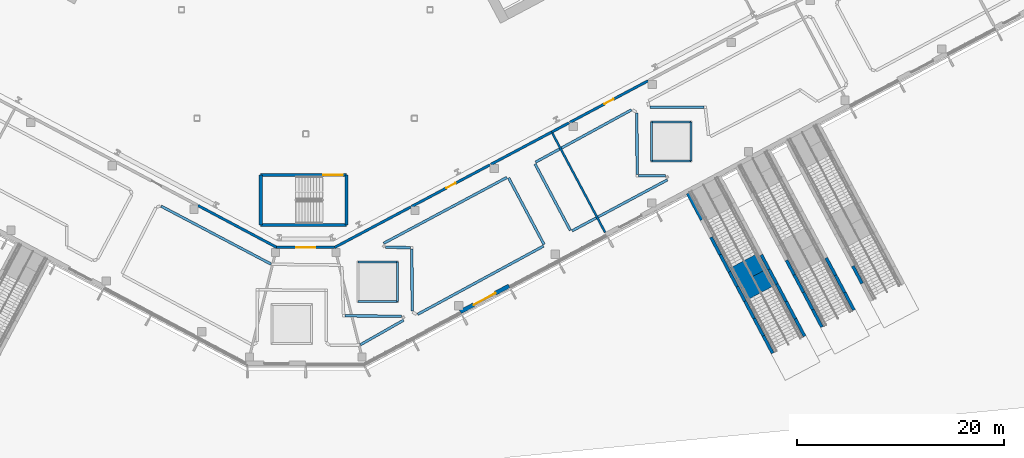
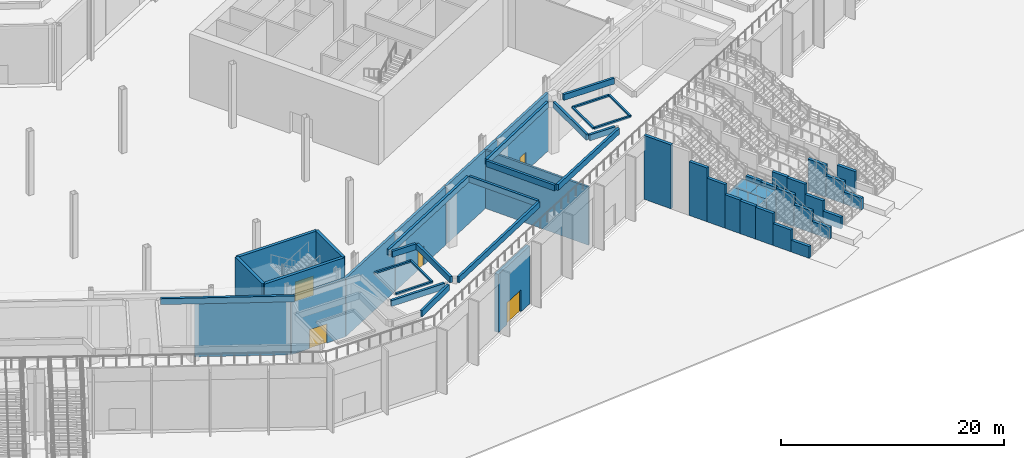
# One storey, part 18 of 57: 58 walls, 5 doors, 5 openings.
"""IFC4 building model written with IfcOpenShell, lengths in metres."""

from ifc_helpers import new_model, si_unit, direction, frame, frame_2d, origin, place, context, subcontext, project, spatial, rectangle, extrude, material, layer, layer_set, type_object, element, fill, save


model = new_model("IFC4")

# Units and contexts
model_context = context("Model", 3, precision=1e-05, world=origin(), true_north=direction((0.0, 1.0)))
body_context = subcontext(model_context, "Body", "Model", "MODEL_VIEW")
ifc_project = project(units=[si_unit("LENGTHUNIT", "METRE"), si_unit("AREAUNIT", "SQUARE_METRE"), si_unit("VOLUMEUNIT", "CUBIC_METRE"), si_unit("PLANEANGLEUNIT", "RADIAN"), si_unit("MASSUNIT", "GRAM", prefix="KILO")], contexts=[model_context])

# Site, building, storey
site_placement = place(None, origin())
site = spatial("IfcSite", under=ifc_project, at=site_placement, CompositionType="ELEMENT")
building_placement = place(site_placement, origin())
building = spatial("IfcBuilding", under=site, at=building_placement, Name="Cormorant Relay Tower", CompositionType="ELEMENT")
storey_placement = place(building_placement, origin())
storey = spatial("IfcBuildingStorey", under=building, at=storey_placement, Name="L00", CompositionType="ELEMENT", Elevation=0.0)

# Wall, opening, door
ifc_material_1 = material(Name="Concrete 40 MPa with granite cladding", Category="masonry")
ifc_layer_1 = layer(ifc_material_1, 0.39990234375)
ifc_layer_set_1 = layer_set([ifc_layer_1], Name="Base facade wall 400")
wall_type_1 = type_object("IfcWallType", Name="Base facade wall 400", PredefinedType="SOLIDWALL", material=ifc_layer_set_1)
wall_1_placement = place(storey_placement, frame((14.9423828125, -29.203369140625, 0.0), z_axis=(0.0, 0.0, 1.0), x_axis=(0.882950500829, 0.469466093648, 0.0)))
wall_1 = element("IfcWall", 1, at=wall_1_placement, inside=storey, type_object=wall_type_1, Name="Base facade wall", PredefinedType="SOLIDWALL", context=body_context, shape_type="SweptSolid", body=[
    extrude(rectangle(XDim=5.320556640625, YDim=0.39990234375, at=frame_2d((2.66015625, 0.0))), origin(), (0.0, 0.0, 1.0), 6.3701171875),
])
opening_1_placement = place(wall_1_placement, frame((1.460205078125, 0.0, 0.0)))
opening_1 = element("IfcOpeningElement", 2, at=opening_1_placement, cuts=wall_1, Name="Opening PD6-001", PredefinedType="OPENING", context=body_context, shape_type="SweptSolid", body=[
    extrude(rectangle(XDim=2.39990234375, YDim=2.39990234375, at=frame_2d((1.199951171875, 1.199951171875))), frame((0.0, 0.2099609375, 0.0), z_axis=(0.0, -1.0, 0.0), x_axis=(1.0, 0.0, 0.0)), (0.0, 0.0, 1.0), 0.419921875),
])
ifc_material_2 = material(Name="Bronze framed glass door", Category="glass")
door_type_1 = type_object("IfcDoorType", Name="Door entrance double 2400", OperationType="DOUBLE_DOOR_SINGLE_SWING", PredefinedType="DOOR", material=ifc_material_2)
door_1_placement = place(opening_1_placement, frame((2.39990234375, 0.0, 0.0), z_axis=(0.0, 0.0, 1.0), x_axis=(-1.0, 0.0, 0.0)))
door_1 = element("IfcDoor", 3, at=door_1_placement, inside=storey, type_object=door_type_1, Name="Entrance door", OperationType="DOUBLE_DOOR_SINGLE_SWING", OverallHeight=2.39990234375, OverallWidth=2.39990234375, PredefinedType="DOOR", context=body_context, shape_type="SweptSolid", body=[
    extrude(rectangle(XDim=2.39990234375, YDim=2.39990234375, at=frame_2d((1.199951171875, 1.199951171875))), frame((0.0, 0.02490234375, 0.0), z_axis=(0.0, -1.0, 0.0), x_axis=(1.0, 0.0, 0.0)), (0.0, 0.0, 1.0), 0.050048828125),
])
fill(opening_1, door_1)

# Walls
ifc_material_3 = material(Name="Concrete 30 MPa upstand", Category="concrete")
ifc_layer_2 = layer(ifc_material_3, 0.199951171875)
ifc_layer_set_2 = layer_set([ifc_layer_2], Name="Deck rooflight kerb 200")
wall_type_2 = type_object("IfcWallType", Name="Deck rooflight kerb 200", PredefinedType="SOLIDWALL", material=ifc_layer_set_2)
for number, where, z_axis, x_axis, name in (
    (4, (8.85791015625, -28.19189453125, 6.919921875), (0.0, 0.0, 1.0), (-1.0, 0.0, 0.0), "Rooflight kerb"),
    (5, (5.05810546875, -24.39208984375, 6.919921875), (0.0, 0.0, 1.0), (1.0, 0.0, 0.0), "Rooflight kerb"),
    (6, (8.85791015625, -24.39208984375, 6.919921875), (0.0, 0.0, 1.0), (0.0, -1.0, 0.0), "Rooflight kerb"),
):
    element("IfcWall", number, at=place(storey_placement, frame(where, z_axis=z_axis, x_axis=x_axis)), inside=storey, type_object=wall_type_2, Name=name, PredefinedType="SOLIDWALL", context=body_context, shape_type="SweptSolid", body=[
        extrude(rectangle(XDim=3.7998046875, YDim=0.199951171875, at=frame_2d((1.89990234375, 0.0))), origin(), (0.0, 0.0, 1.0), 0.18017578125),
    ])
for number, where, z_axis, x_axis, name in (
    (7, (37.22998046875, -14.634033203125, 6.919921875), (0.0, 0.0, 1.0), (-1.0, 0.0, 0.0), "Rooflight kerb"),
    (8, (33.429931640625, -14.634033203125, 6.919921875), (0.0, 0.0, 1.0), (0.0, 1.0, 0.0), "Rooflight kerb"),
    (9, (33.429931640625, -10.833984375, 6.919921875), (0.0, 0.0, 1.0), (1.0, 0.0, 0.0), "Rooflight kerb"),
    (10, (37.22998046875, -10.833984375, 6.919921875), (0.0, 0.0, 1.0), (0.0, -1.0, 0.0), "Rooflight kerb"),
):
    element("IfcWall", number, at=place(storey_placement, frame(where, z_axis=z_axis, x_axis=x_axis)), inside=storey, type_object=wall_type_2, Name=name, PredefinedType="SOLIDWALL", context=body_context, shape_type="SweptSolid", body=[
        extrude(rectangle(XDim=3.800048828125, YDim=0.199951171875, at=frame_2d((1.89990234375, 0.0))), origin(), (0.0, 0.0, 1.0), 0.18017578125),
    ])
ifc_material_4 = material(Name="Concrete masonry 20 MPa", Category="masonry")
ifc_layer_3 = layer(ifc_material_4, 0.25)
ifc_layer_set_3 = layer_set([ifc_layer_3], Name="Fire separation wall 250")
wall_type_3 = type_object("IfcWallType", Name="Fire separation wall 250", PredefinedType="SOLIDWALL", material=ifc_layer_set_3)
wall_2_placement = place(storey_placement, frame((23.781005859375, -11.819091796875, 0.0), z_axis=(0.0, 0.0, 1.0), x_axis=(-0.882996705644, -0.469379183413, 0.0)))
element("IfcWall", 11, at=wall_2_placement, inside=storey, type_object=wall_type_3, Name="Partition", PredefinedType="SOLIDWALL", context=body_context, shape_type="SweptSolid", body=[
    extrude(rectangle(XDim=6.668212890625, YDim=0.25, at=frame_2d((3.333984375, 0.0))), origin(), (0.0, 0.0, 1.0), 6.3701171875),
])

# Wall, opening, door
wall_3_placement = place(storey_placement, frame((17.806884765625, -14.994873046875, 0.0), z_axis=(0.0, 0.0, 1.0), x_axis=(-0.882988627018, -0.46939438062, 0.0)))
wall_3 = element("IfcWall", 12, at=wall_3_placement, inside=storey, type_object=wall_type_3, Name="Partition", PredefinedType="SOLIDWALL", context=body_context, shape_type="SweptSolid", body=[
    extrude(rectangle(XDim=8.55810546875, YDim=0.25, at=frame_2d((4.279052734375, 0.0))), origin(), (0.0, 0.0, 1.0), 6.3701171875),
])
opening_2_placement = place(wall_3_placement, frame((3.779052734375, 0.0, 0.0)))
opening_2 = element("IfcOpeningElement", 13, at=opening_2_placement, cuts=wall_3, Name="Opening PD1-053", PredefinedType="OPENING", context=body_context, shape_type="SweptSolid", body=[
    extrude(rectangle(XDim=1.0, YDim=2.10009765625, at=frame_2d((0.5, 1.050048828125))), frame((0.0, 0.135009765625, 0.0), z_axis=(0.0, -1.0, 0.0), x_axis=(1.0, 0.0, 0.0)), (0.0, 0.0, 1.0), 0.27001953125),
])
ifc_material_5 = material(Name="Steel door leaf", Category="steel")
door_type_2 = type_object("IfcDoorType", Name="Door single 1000", OperationType="SINGLE_SWING_LEFT", PredefinedType="DOOR", material=ifc_material_5)
door_2_placement = place(opening_2_placement, origin())
door_2 = element("IfcDoor", 14, at=door_2_placement, inside=storey, type_object=door_type_2, Name="Door", OperationType="SINGLE_SWING_LEFT", OverallHeight=2.10009765625, OverallWidth=1.0, PredefinedType="DOOR", context=body_context, shape_type="SweptSolid", body=[
    extrude(rectangle(XDim=1.0, YDim=2.10009765625, at=frame_2d((0.5, 1.050048828125))), frame((0.0, 0.02490234375, 0.0), z_axis=(0.0, -1.0, 0.0), x_axis=(1.0, 0.0, 0.0)), (0.0, 0.0, 1.0), 0.050048828125),
])
fill(opening_2, door_2)

# Wall
wall_4_placement = place(storey_placement, frame((10.1650390625, -19.057373046875, 0.0), z_axis=(0.0, 0.0, 1.0), x_axis=(-0.882987691761, -0.469396139949, 0.0)))
element("IfcWall", 15, at=wall_4_placement, inside=storey, type_object=wall_type_3, Name="Partition", PredefinedType="SOLIDWALL", context=body_context, shape_type="SweptSolid", body=[
    extrude(rectangle(XDim=8.347412109375, YDim=0.25, at=frame_2d((4.173828125, 0.0))), origin(), (0.0, 0.0, 1.0), 6.3701171875),
])

# Wall, opening, door
wall_5_placement = place(storey_placement, frame((33.091064453125, -6.86865234375, 0.0), z_axis=(0.0, 0.0, 1.0), x_axis=(-0.882945366868, -0.469475749243, 0.0)))
wall_5 = element("IfcWall", 16, at=wall_5_placement, inside=storey, type_object=wall_type_3, Name="Partition", PredefinedType="SOLIDWALL", context=body_context, shape_type="SweptSolid", body=[
    extrude(rectangle(XDim=8.55712890625, YDim=0.25, at=frame_2d((4.278564453125, 0.0))), origin(), (0.0, 0.0, 1.0), 6.3701171875),
])
opening_3_placement = place(wall_5_placement, frame((3.779052734375, 0.0, 0.0)))
opening_3 = element("IfcOpeningElement", 17, at=opening_3_placement, cuts=wall_5, Name="Opening PD1-054", PredefinedType="OPENING", context=body_context, shape_type="SweptSolid", body=[
    extrude(rectangle(XDim=1.0, YDim=2.10009765625, at=frame_2d((0.5, 1.050048828125))), frame((0.0, 0.135009765625, 0.0), z_axis=(0.0, -1.0, 0.0), x_axis=(1.0, 0.0, 0.0)), (0.0, 0.0, 1.0), 0.27001953125),
])
door_3_placement = place(opening_3_placement, origin())
door_3 = element("IfcDoor", 18, at=door_3_placement, inside=storey, type_object=door_type_2, Name="Door", OperationType="SINGLE_SWING_RIGHT", OverallHeight=2.10009765625, OverallWidth=1.0, PredefinedType="DOOR", context=body_context, shape_type="SweptSolid", body=[
    extrude(rectangle(XDim=1.0, YDim=2.10009765625, at=frame_2d((0.5, 1.050048828125))), frame((0.0, 0.02490234375, 0.0), z_axis=(0.0, -1.0, 0.0), x_axis=(1.0, 0.0, 0.0)), (0.0, 0.0, 1.0), 0.050048828125),
])
fill(opening_3, door_3)

# Walls
wall_6_placement = place(storey_placement, frame((25.448974609375, -10.931884765625, 0.0), z_axis=(0.0, 0.0, 1.0), x_axis=(-0.882889505907, -0.469580792153, 0.0)))
element("IfcWall", 19, at=wall_6_placement, inside=storey, type_object=wall_type_3, Name="Partition", PredefinedType="SOLIDWALL", context=body_context, shape_type="SweptSolid", body=[
    extrude(rectangle(XDim=1.88720703125, YDim=0.25, at=frame_2d((0.943603515625, 0.0))), origin(), (0.0, 0.0, 1.0), 6.3701171875),
])
wall_7_placement = place(storey_placement, frame((-2.79443359375, -22.9755859375, 0.0), z_axis=(0.0, 0.0, 1.0), x_axis=(-0.882976758677, 0.469416705749, 0.0)))
element("IfcWall", 20, at=wall_7_placement, inside=storey, type_object=wall_type_3, Name="Partition", PredefinedType="SOLIDWALL", context=body_context, shape_type="SweptSolid", body=[
    extrude(rectangle(XDim=8.623779296875, YDim=0.25, at=frame_2d((4.31201171875, 0.0))), origin(), (0.0, 0.0, 1.0), 6.3701171875),
])

# Wall, opening, door
wall_8_placement = place(storey_placement, frame((2.802001953125, -22.9736328125, 0.0), z_axis=(0.0, 0.0, 1.0), x_axis=(-1.0, 0.0, 0.0)))
wall_8 = element("IfcWall", 21, at=wall_8_placement, inside=storey, type_object=wall_type_3, Name="Partition", PredefinedType="SOLIDWALL", context=body_context, shape_type="SweptSolid", body=[
    extrude(rectangle(XDim=5.60400390625, YDim=0.25, at=frame_2d((2.802001953125, 0.0))), origin(), (0.0, 0.0, 1.0), 6.3701171875),
])
opening_4_placement = place(wall_8_placement, frame((1.902099609375, 0.0, 0.0)))
opening_4 = element("IfcOpeningElement", 22, at=opening_4_placement, cuts=wall_8, Name="Opening PD3-016", PredefinedType="OPENING", context=body_context, shape_type="SweptSolid", body=[
    extrude(rectangle(XDim=1.800048828125, YDim=2.10009765625, at=frame_2d((0.89990234375, 1.050048828125))), frame((0.0, 0.135009765625, 0.0), z_axis=(0.0, -1.0, 0.0), x_axis=(1.0, 0.0, 0.0)), (0.0, 0.0, 1.0), 0.27001953125),
])
ifc_material_6 = material(Name="Steel door leaf", Category="steel")
door_type_3 = type_object("IfcDoorType", Name="Door double 1800", OperationType="DOUBLE_DOOR_SINGLE_SWING", PredefinedType="DOOR", material=ifc_material_6)
door_4_placement = place(opening_4_placement, origin())
door_4 = element("IfcDoor", 23, at=door_4_placement, inside=storey, type_object=door_type_3, Name="Door", OperationType="DOUBLE_DOOR_SINGLE_SWING", OverallHeight=2.10009765625, OverallWidth=1.800048828125, PredefinedType="DOOR", context=body_context, shape_type="SweptSolid", body=[
    extrude(rectangle(XDim=1.800048828125, YDim=2.10009765625, at=frame_2d((0.89990234375, 1.050048828125))), frame((0.0, 0.02490234375, 0.0), z_axis=(0.0, -1.0, 0.0), x_axis=(1.0, 0.0, 0.0)), (0.0, 0.0, 1.0), 0.050048828125),
])
fill(opening_4, door_4)

# Walls
ifc_material_7 = material(Name="Concrete masonry 20 MPa", Category="masonry")
ifc_layer_4 = layer(ifc_material_7, 0.199951171875)
ifc_layer_set_4 = layer_set([ifc_layer_4], Name="Plant room wall 200")
wall_type_4 = type_object("IfcWallType", Name="Plant room wall 200", PredefinedType="PARTITIONING", material=ifc_layer_set_4)
wall_9_placement = place(storey_placement, frame((28.941650390625, -21.533203125, 0.0), z_axis=(0.0, 0.0, 1.0), x_axis=(-0.469480826486, 0.8829426672, 0.0)))
element("IfcWall", 24, at=wall_9_placement, inside=storey, type_object=wall_type_4, Name="Partition", PredefinedType="PARTITIONING", context=body_context, shape_type="SweptSolid", body=[
    extrude(rectangle(XDim=11.0, YDim=0.199951171875, at=frame_2d((5.5, 0.0))), origin(), (0.0, 0.0, 1.0), 6.3701171875),
])
ifc_material_8 = material(Name="Concrete 40 MPa", Category="concrete")
ifc_layer_5 = layer(ifc_material_8, 0.25)
ifc_layer_set_5 = layer_set([ifc_layer_5], Name="Planter kerb 250")
wall_type_5 = type_object("IfcWallType", Name="Planter kerb 250", PredefinedType="STANDARD", material=ifc_layer_set_5)
wall_10_placement = place(storey_placement, frame((-13.9716796875, -18.98779296875, 7.0), z_axis=(0.0, 0.0, 1.0), x_axis=(0.884508535328, -0.466524008955, 0.0)))
element("IfcWall", 25, at=wall_10_placement, inside=storey, type_object=wall_type_5, Name="PLANTER 01 kerb", PredefinedType="STANDARD", context=body_context, shape_type="SweptSolid", body=[
    extrude(rectangle(XDim=12.005859375, YDim=0.25, at=frame_2d((6.0029296875, 0.0))), origin(), (0.0, 0.0, 1.0), 0.64990234375),
])
wall_11_placement = place(storey_placement, frame((3.78076171875, -29.59375, 7.0), z_axis=(0.0, 0.0, 1.0), x_axis=(0.99999144192, -0.004137159309, 0.0)))
element("IfcWall", 26, at=wall_11_placement, inside=storey, type_object=wall_type_5, Name="PLANTER 01 kerb", PredefinedType="STANDARD", context=body_context, shape_type="SweptSolid", body=[
    extrude(rectangle(XDim=5.488037109375, YDim=0.25, at=frame_2d((2.744140625, 0.0))), origin(), (0.0, 0.0, 1.0), 0.64990234375),
])
wall_12_placement = place(storey_placement, frame((9.459716796875, -30.008544921875, 7.0), z_axis=(0.0, 0.0, 1.0), x_axis=(-0.86931446801, -0.494259401234, 0.0)))
element("IfcWall", 27, at=wall_12_placement, inside=storey, type_object=wall_type_5, Name="PLANTER 01 kerb", PredefinedType="STANDARD", context=body_context, shape_type="SweptSolid", body=[
    extrude(rectangle(XDim=4.81494140625, YDim=0.25, at=frame_2d((2.407470703125, 0.0))), origin(), (0.0, 0.0, 1.0), 0.64990234375),
])
wall_13_placement = place(storey_placement, frame((10.282470703125, -29.128173828125, 7.0), z_axis=(0.0, 0.0, 1.0), x_axis=(-0.003773558038, 0.999992880105, 0.0)))
element("IfcWall", 28, at=wall_13_placement, inside=storey, type_object=wall_type_5, Name="PLANTER 02 kerb", PredefinedType="STANDARD", context=body_context, shape_type="SweptSolid", body=[
    extrude(rectangle(XDim=6.016845703125, YDim=0.25, at=frame_2d((3.00830078125, 0.0))), origin(), (0.0, 0.0, 1.0), 0.64990234375),
])
wall_14_placement = place(storey_placement, frame((10.1357421875, -22.990234375, 7.0), z_axis=(0.0, 0.0, 1.0), x_axis=(-0.999958062523, 0.009158231048, 0.0)))
element("IfcWall", 29, at=wall_14_placement, inside=storey, type_object=wall_type_5, Name="PLANTER 02 kerb", PredefinedType="STANDARD", context=body_context, shape_type="SweptSolid", body=[
    extrude(rectangle(XDim=2.42578125, YDim=0.25, at=frame_2d((1.212890625, 0.0))), origin(), (0.0, 0.0, 1.0), 0.64990234375),
])
wall_15_placement = place(storey_placement, frame((7.527099609375, -22.580078125, 7.0), z_axis=(0.0, 0.0, 1.0), x_axis=(0.88197155135, 0.47130264439, 0.0)))
element("IfcWall", 30, at=wall_15_placement, inside=storey, type_object=wall_type_5, Name="PLANTER 02 kerb", PredefinedType="STANDARD", context=body_context, shape_type="SweptSolid", body=[
    extrude(rectangle(XDim=13.512939453125, YDim=0.25, at=frame_2d((6.75634765625, 0.0))), origin(), (0.0, 0.0, 1.0), 0.64990234375),
])
wall_16_placement = place(storey_placement, frame((19.6142578125, -16.262939453125, 7.0), z_axis=(0.0, 0.0, 1.0), x_axis=(0.469474320709, -0.88294612644, 0.0)))
element("IfcWall", 31, at=wall_16_placement, inside=storey, type_object=wall_type_5, Name="PLANTER 02 kerb", PredefinedType="STANDARD", context=body_context, shape_type="SweptSolid", body=[
    extrude(rectangle(XDim=7.271484375, YDim=0.25, at=frame_2d((3.6357421875, 0.0))), origin(), (0.0, 0.0, 1.0), 0.64990234375),
])
wall_17_placement = place(storey_placement, frame((22.975341796875, -22.84814453125, 7.0), z_axis=(0.0, 0.0, 1.0), x_axis=(-0.879054789802, -0.476720753195, 0.0)))
element("IfcWall", 32, at=wall_17_placement, inside=storey, type_object=wall_type_5, Name="PLANTER 02 kerb", PredefinedType="STANDARD", context=body_context, shape_type="SweptSolid", body=[
    extrude(rectangle(XDim=13.837158203125, YDim=0.25, at=frame_2d((6.91845703125, 0.0))), origin(), (0.0, 0.0, 1.0), 0.64990234375),
])
wall_18_placement = place(storey_placement, frame((32.005615234375, -9.998779296875, 7.0), z_axis=(0.0, 0.0, 1.0), x_axis=(0.003840249174, -0.999992626216, 0.0)))
element("IfcWall", 33, at=wall_18_placement, inside=storey, type_object=wall_type_5, Name="PLANTER 04 kerb", PredefinedType="STANDARD", context=body_context, shape_type="SweptSolid", body=[
    extrude(rectangle(XDim=5.912353515625, YDim=0.25, at=frame_2d((2.9560546875, 0.0))), origin(), (0.0, 0.0, 1.0), 0.64990234375),
])
wall_19_placement = place(storey_placement, frame((32.152099609375, -16.03564453125, 7.0), z_axis=(0.0, 0.0, 1.0), x_axis=(0.99996313465, -0.008586579092, 0.0)))
element("IfcWall", 34, at=wall_19_placement, inside=storey, type_object=wall_type_5, Name="PLANTER 04 kerb", PredefinedType="STANDARD", context=body_context, shape_type="SweptSolid", body=[
    extrude(rectangle(XDim=2.61572265625, YDim=0.25, at=frame_2d((1.307861328125, 0.0))), origin(), (0.0, 0.0, 1.0), 0.64990234375),
])
wall_20_placement = place(storey_placement, frame((34.950927734375, -16.44580078125, 7.0), z_axis=(0.0, 0.0, 1.0), x_axis=(-0.881692170712, -0.471825090585, 0.0)))
element("IfcWall", 35, at=wall_20_placement, inside=storey, type_object=wall_type_5, Name="PLANTER 04 kerb", PredefinedType="STANDARD", context=body_context, shape_type="SweptSolid", body=[
    extrude(rectangle(XDim=10.446044921875, YDim=0.25, at=frame_2d((5.22314453125, 0.0))), origin(), (0.0, 0.0, 1.0), 0.64990234375),
])
wall_21_placement = place(storey_placement, frame((25.571533203125, -21.322998046875, 7.0), z_axis=(0.0, 0.0, 1.0), x_axis=(-0.469485947984, 0.882939943963, 0.0)))
element("IfcWall", 36, at=wall_21_placement, inside=storey, type_object=wall_type_5, Name="PLANTER 04 kerb", PredefinedType="STANDARD", context=body_context, shape_type="SweptSolid", body=[
    extrude(rectangle(XDim=7.267822265625, YDim=0.25, at=frame_2d((3.6337890625, 0.0))), origin(), (0.0, 0.0, 1.0), 0.64990234375),
])
wall_22_placement = place(storey_placement, frame((22.2099609375, -14.737548828125, 7.0), z_axis=(0.0, 0.0, 1.0), x_axis=(0.8778734739, 0.478892643317, 0.0)))
element("IfcWall", 37, at=wall_22_placement, inside=storey, type_object=wall_type_5, Name="PLANTER 04 kerb", PredefinedType="STANDARD", context=body_context, shape_type="SweptSolid", body=[
    extrude(rectangle(XDim=10.555419921875, YDim=0.25, at=frame_2d((5.27783203125, 0.0))), origin(), (0.0, 0.0, 1.0), 0.64990234375),
])
wall_23_placement = place(storey_placement, frame((38.507080078125, -9.432373046875, 7.0), z_axis=(0.0, 0.0, 1.0), x_axis=(-0.999990747909, 0.00430163879, 0.0)))
element("IfcWall", 38, at=wall_23_placement, inside=storey, type_object=wall_type_5, Name="PLANTER 05 kerb", PredefinedType="STANDARD", context=body_context, shape_type="SweptSolid", body=[
    extrude(rectangle(XDim=5.221435546875, YDim=0.25, at=frame_2d((2.61083984375, 0.0))), origin(), (0.0, 0.0, 1.0), 0.64990234375),
])
ifc_material_9 = material(Name="Concrete 50 MPa", Category="concrete")
ifc_layer_6 = layer(ifc_material_9, 0.300048828125)
ifc_layer_set_6 = layer_set([ifc_layer_6], Name="Remote stair wall 300")
wall_type_6 = type_object("IfcWallType", Name="Remote stair wall 300", PredefinedType="SHEAR", material=ifc_layer_set_6)
wall_24_placement = place(storey_placement, frame((3.949951171875, -15.97509765625, 0.0), z_axis=(0.0, 0.0, 1.0), x_axis=(0.0, -1.0, 0.0)))
element("IfcWall", 39, at=wall_24_placement, inside=storey, type_object=wall_type_6, Name="L00 exit stair RK1 wall", PredefinedType="SHEAR", context=body_context, shape_type="SweptSolid", body=[
    extrude(rectangle(XDim=4.849853515625, YDim=0.300048828125, at=frame_2d((2.4248046875, 0.0))), origin(), (0.0, 0.0, 1.0), 7.0),
])
wall_25_placement = place(storey_placement, frame((3.949951171875, -20.824951171875, 0.0), z_axis=(0.0, 0.0, 1.0), x_axis=(-1.0, 0.0, 0.0)))
element("IfcWall", 40, at=wall_25_placement, inside=storey, type_object=wall_type_6, Name="L00 exit stair RK1 wall", PredefinedType="SHEAR", context=body_context, shape_type="SweptSolid", body=[
    extrude(rectangle(XDim=8.300048828125, YDim=0.300048828125, at=frame_2d((4.14990234375, 0.0))), origin(), (0.0, 0.0, 1.0), 7.0),
])
wall_26_placement = place(storey_placement, frame((-4.35009765625, -20.824951171875, 0.0), z_axis=(0.0, 0.0, 1.0), x_axis=(0.0, 1.0, 0.0)))
element("IfcWall", 41, at=wall_26_placement, inside=storey, type_object=wall_type_6, Name="L00 exit stair RK1 wall", PredefinedType="SHEAR", context=body_context, shape_type="SweptSolid", body=[
    extrude(rectangle(XDim=4.849853515625, YDim=0.300048828125, at=frame_2d((2.4248046875, 0.0))), origin(), (0.0, 0.0, 1.0), 7.0),
])

# Wall, opening, door
wall_27_placement = place(storey_placement, frame((-4.35009765625, -15.97509765625, 0.0), z_axis=(0.0, 0.0, 1.0), x_axis=(1.0, 0.0, 0.0)))
wall_27 = element("IfcWall", 42, at=wall_27_placement, inside=storey, type_object=wall_type_6, Name="L00 exit stair RK1 wall", PredefinedType="SHEAR", context=body_context, shape_type="SweptSolid", body=[
    extrude(rectangle(XDim=8.300048828125, YDim=0.300048828125, at=frame_2d((4.14990234375, 0.0))), origin(), (0.0, 0.0, 1.0), 7.0),
])
opening_5_placement = place(wall_27_placement, frame((6.050048828125, 0.0, 0.0)))
opening_5 = element("IfcOpeningElement", 43, at=opening_5_placement, cuts=wall_27, Name="Opening CDE-002", PredefinedType="OPENING", context=body_context, shape_type="SweptSolid", body=[
    extrude(rectangle(XDim=1.89990234375, YDim=2.10009765625, at=frame_2d((0.949951171875, 1.050048828125))), frame((0.0, 0.159912109375, 0.0), z_axis=(0.0, -1.0, 0.0), x_axis=(1.0, 0.0, 0.0)), (0.0, 0.0, 1.0), 0.320068359375),
])
ifc_material_10 = material(Name="Steel fire door", Category="steel")
door_type_4 = type_object("IfcDoorType", Name="Remote stair door 1900x2100", OperationType="DOUBLE_DOOR_SINGLE_SWING", PredefinedType="DOOR", material=ifc_material_10)
door_5_placement = place(opening_5_placement, origin())
door_5 = element("IfcDoor", 44, at=door_5_placement, inside=storey, type_object=door_type_4, Name="Exit stair RK1 door", OperationType="DOUBLE_DOOR_SINGLE_SWING", OverallHeight=2.10009765625, OverallWidth=1.89990234375, PredefinedType="DOOR", context=body_context, shape_type="SweptSolid", body=[
    extrude(rectangle(XDim=1.89990234375, YDim=2.10009765625, at=frame_2d((0.949951171875, 1.050048828125))), frame((0.0, 0.02490234375, 0.0), z_axis=(0.0, -1.0, 0.0), x_axis=(1.0, 0.0, 0.0)), (0.0, 0.0, 1.0), 0.050048828125),
])
fill(opening_5, door_5)

# Walls
ifc_material_11 = material(Name="Concrete 40 MPa with granite cladding", Category="masonry")
ifc_layer_7 = layer(ifc_material_11, 0.300048828125)
ifc_layer_set_7 = layer_set([ifc_layer_7], Name="Stair cheek wall 300")
wall_type_7 = type_object("IfcWallType", Name="Stair cheek wall 300", PredefinedType="SOLIDWALL", material=ifc_layer_set_7)
wall_28_placement = place(storey_placement, frame((36.90966796875, -17.74951171875, 0.0), z_axis=(0.0, 0.0, 1.0), x_axis=(0.469434248776, -0.882967432059, 0.0)))
element("IfcWall", 45, at=wall_28_placement, inside=storey, type_object=wall_type_7, Name="Stair cheek wall", PredefinedType="SOLIDWALL", context=body_context, shape_type="SweptSolid", body=[
    extrude(rectangle(XDim=2.89990234375, YDim=0.300048828125, at=frame_2d((1.449951171875, 0.0))), origin(), (0.0, 0.0, 1.0), 7.0),
])
wall_29_placement = place(storey_placement, frame((39.1630859375, -21.98779296875, 0.0), z_axis=(0.0, 0.0, 1.0), x_axis=(0.469534121713, -0.882914326844, 0.0)))
element("IfcWall", 46, at=wall_29_placement, inside=storey, type_object=wall_type_7, Name="Stair cheek wall", PredefinedType="SOLIDWALL", context=body_context, shape_type="SweptSolid", body=[
    extrude(rectangle(XDim=1.89990234375, YDim=0.300048828125, at=frame_2d((0.949951171875, 0.0))), origin(), (0.0, 0.0, 1.0), 5.89208984375),
])
wall_30_placement = place(storey_placement, frame((40.05517578125, -23.665283203125, 0.0), z_axis=(0.0, 0.0, 1.0), x_axis=(0.469380683019, -0.882995908489, 0.0)))
element("IfcWall", 47, at=wall_30_placement, inside=storey, type_object=wall_type_7, Name="Stair cheek wall", PredefinedType="SOLIDWALL", context=body_context, shape_type="SweptSolid", body=[
    extrude(rectangle(XDim=1.900146484375, YDim=0.300048828125, at=frame_2d((0.9501953125, 0.0))), origin(), (0.0, 0.0, 1.0), 4.782958984375),
])
wall_31_placement = place(storey_placement, frame((40.947021484375, -25.343017578125, 0.0), z_axis=(0.0, 0.0, 1.0), x_axis=(0.469534519898, -0.882914115089, 0.0)))
element("IfcWall", 48, at=wall_31_placement, inside=storey, type_object=wall_type_7, Name="Stair cheek wall", PredefinedType="SOLIDWALL", context=body_context, shape_type="SweptSolid", body=[
    extrude(rectangle(XDim=1.599853515625, YDim=0.300048828125, at=frame_2d((0.7998046875, 0.0))), origin(), (0.0, 0.0, 1.0), 3.675048828125),
])
wall_32_placement = place(storey_placement, frame((41.6982421875, -26.755615234375, 0.0), z_axis=(0.0, 0.0, 1.0), x_axis=(0.469471267677, -0.882947749771, 0.0)))
element("IfcWall", 49, at=wall_32_placement, inside=storey, type_object=wall_type_7, Name="Stair cheek wall", PredefinedType="SOLIDWALL", context=body_context, shape_type="SweptSolid", body=[
    extrude(rectangle(XDim=1.60009765625, YDim=0.300048828125, at=frame_2d((0.800048828125, 0.0))), origin(), (0.0, 0.0, 1.0), 3.5869140625),
])
wall_33_placement = place(storey_placement, frame((42.449462890625, -28.16845703125, 0.0), z_axis=(0.0, 0.0, 1.0), x_axis=(0.469433943093, -0.882967594577, 0.0)))
element("IfcWall", 50, at=wall_33_placement, inside=storey, type_object=wall_type_7, Name="Stair cheek wall", PredefinedType="SOLIDWALL", context=body_context, shape_type="SweptSolid", body=[
    extrude(rectangle(XDim=1.89990234375, YDim=0.300048828125, at=frame_2d((0.949951171875, 0.0))), origin(), (0.0, 0.0, 1.0), 3.5),
])
wall_34_placement = place(storey_placement, frame((43.34130859375, -29.845947265625, 0.0), z_axis=(0.0, 0.0, 1.0), x_axis=(0.4694808567, -0.882942651134, 0.0)))
element("IfcWall", 51, at=wall_34_placement, inside=storey, type_object=wall_type_7, Name="Stair cheek wall", PredefinedType="SOLIDWALL", context=body_context, shape_type="SweptSolid", body=[
    extrude(rectangle(XDim=1.900146484375, YDim=0.300048828125, at=frame_2d((0.9501953125, 0.0))), origin(), (0.0, 0.0, 1.0), 2.39208984375),
])
wall_35_placement = place(storey_placement, frame((44.2333984375, -31.523681640625, 0.0), z_axis=(0.0, 0.0, 1.0), x_axis=(0.469534121713, -0.882914326844, 0.0)))
element("IfcWall", 52, at=wall_35_placement, inside=storey, type_object=wall_type_7, Name="Stair cheek wall", PredefinedType="SOLIDWALL", context=body_context, shape_type="SweptSolid", body=[
    extrude(rectangle(XDim=1.89990234375, YDim=0.300048828125, at=frame_2d((0.949951171875, 0.0))), origin(), (0.0, 0.0, 1.0), 1.282958984375),
])
wall_36_placement = place(storey_placement, frame((44.037353515625, -23.69970703125, 0.0), z_axis=(0.0, 0.0, 1.0), x_axis=(0.469471267677, -0.882947749771, 0.0)))
element("IfcWall", 53, at=wall_36_placement, inside=storey, type_object=wall_type_7, Name="Stair cheek wall", PredefinedType="SOLIDWALL", context=body_context, shape_type="SweptSolid", body=[
    extrude(rectangle(XDim=1.60009765625, YDim=0.300048828125, at=frame_2d((0.800048828125, 0.0))), origin(), (0.0, 0.0, 1.0), 3.675048828125),
])
wall_37_placement = place(storey_placement, frame((44.78857421875, -25.112548828125, 0.0), z_axis=(0.0, 0.0, 1.0), x_axis=(0.469534519898, -0.882914115089, 0.0)))
element("IfcWall", 54, at=wall_37_placement, inside=storey, type_object=wall_type_7, Name="Stair cheek wall", PredefinedType="SOLIDWALL", context=body_context, shape_type="SweptSolid", body=[
    extrude(rectangle(XDim=1.599853515625, YDim=0.300048828125, at=frame_2d((0.7998046875, 0.0))), origin(), (0.0, 0.0, 1.0), 3.5869140625),
])
wall_38_placement = place(storey_placement, frame((45.539794921875, -26.525146484375, 0.0), z_axis=(0.0, 0.0, 1.0), x_axis=(0.469380683019, -0.882995908489, 0.0)))
element("IfcWall", 55, at=wall_38_placement, inside=storey, type_object=wall_type_7, Name="Stair cheek wall", PredefinedType="SOLIDWALL", context=body_context, shape_type="SweptSolid", body=[
    extrude(rectangle(XDim=1.900146484375, YDim=0.300048828125, at=frame_2d((0.9501953125, 0.0))), origin(), (0.0, 0.0, 1.0), 3.5),
])
wall_39_placement = place(storey_placement, frame((46.431640625, -28.202880859375, 0.0), z_axis=(0.0, 0.0, 1.0), x_axis=(0.469534121713, -0.882914326844, 0.0)))
element("IfcWall", 56, at=wall_39_placement, inside=storey, type_object=wall_type_7, Name="Stair cheek wall", PredefinedType="SOLIDWALL", context=body_context, shape_type="SweptSolid", body=[
    extrude(rectangle(XDim=1.89990234375, YDim=0.300048828125, at=frame_2d((0.949951171875, 0.0))), origin(), (0.0, 0.0, 1.0), 2.39208984375),
])
wall_40_placement = place(storey_placement, frame((47.32373046875, -29.88037109375, 0.0), z_axis=(0.0, 0.0, 1.0), x_axis=(0.4694808567, -0.882942651134, 0.0)))
element("IfcWall", 57, at=wall_40_placement, inside=storey, type_object=wall_type_7, Name="Stair cheek wall", PredefinedType="SOLIDWALL", context=body_context, shape_type="SweptSolid", body=[
    extrude(rectangle(XDim=1.900146484375, YDim=0.300048828125, at=frame_2d((0.9501953125, 0.0))), origin(), (0.0, 0.0, 1.0), 1.282958984375),
])
wall_41_placement = place(storey_placement, frame((46.46630859375, -24.220458984375, 0.0), z_axis=(0.0, 0.0, 1.0), x_axis=(0.469352308434, -0.883010991193, 0.0)))
element("IfcWall", 58, at=wall_41_placement, inside=storey, type_object=wall_type_7, Name="Stair cheek wall", PredefinedType="SOLIDWALL", context=body_context, shape_type="SweptSolid", body=[
    extrude(rectangle(XDim=1.60009765625, YDim=0.300048828125, at=frame_2d((0.800048828125, 0.0))), origin(), (0.0, 0.0, 1.0), 3.5869140625),
])
wall_42_placement = place(storey_placement, frame((47.21728515625, -25.63330078125, 0.0), z_axis=(0.0, 0.0, 1.0), x_axis=(0.469534121713, -0.882914326844, 0.0)))
element("IfcWall", 59, at=wall_42_placement, inside=storey, type_object=wall_type_7, Name="Stair cheek wall", PredefinedType="SOLIDWALL", context=body_context, shape_type="SweptSolid", body=[
    extrude(rectangle(XDim=1.89990234375, YDim=0.300048828125, at=frame_2d((0.949951171875, 0.0))), origin(), (0.0, 0.0, 1.0), 3.5),
])
wall_43_placement = place(storey_placement, frame((48.109375, -27.310791015625, 0.0), z_axis=(0.0, 0.0, 1.0), x_axis=(0.469433943093, -0.882967594577, 0.0)))
element("IfcWall", 60, at=wall_43_placement, inside=storey, type_object=wall_type_7, Name="Stair cheek wall", PredefinedType="SOLIDWALL", context=body_context, shape_type="SweptSolid", body=[
    extrude(rectangle(XDim=1.89990234375, YDim=0.300048828125, at=frame_2d((0.949951171875, 0.0))), origin(), (0.0, 0.0, 1.0), 2.39208984375),
])
wall_44_placement = place(storey_placement, frame((49.001220703125, -28.98828125, 0.0), z_axis=(0.0, 0.0, 1.0), x_axis=(0.4694808567, -0.882942651134, 0.0)))
element("IfcWall", 61, at=wall_44_placement, inside=storey, type_object=wall_type_7, Name="Stair cheek wall", PredefinedType="SOLIDWALL", context=body_context, shape_type="SweptSolid", body=[
    extrude(rectangle(XDim=1.900146484375, YDim=0.300048828125, at=frame_2d((0.9501953125, 0.0))), origin(), (0.0, 0.0, 1.0), 1.282958984375),
])
wall_45_placement = place(storey_placement, frame((50.3076171875, -23.989990234375, 0.0), z_axis=(0.0, 0.0, 1.0), x_axis=(0.4694808567, -0.882942651134, 0.0)))
element("IfcWall", 62, at=wall_45_placement, inside=storey, type_object=wall_type_7, Name="Stair cheek wall", PredefinedType="SOLIDWALL", context=body_context, shape_type="SweptSolid", body=[
    extrude(rectangle(XDim=1.900146484375, YDim=0.300048828125, at=frame_2d((0.9501953125, 0.0))), origin(), (0.0, 0.0, 1.0), 3.5),
])
wall_46_placement = place(storey_placement, frame((51.19970703125, -25.667724609375, 0.0), z_axis=(0.0, 0.0, 1.0), x_axis=(0.469534121713, -0.882914326844, 0.0)))
element("IfcWall", 63, at=wall_46_placement, inside=storey, type_object=wall_type_7, Name="Stair cheek wall", PredefinedType="SOLIDWALL", context=body_context, shape_type="SweptSolid", body=[
    extrude(rectangle(XDim=1.89990234375, YDim=0.300048828125, at=frame_2d((0.949951171875, 0.0))), origin(), (0.0, 0.0, 1.0), 2.39208984375),
])
wall_47_placement = place(storey_placement, frame((52.091796875, -27.34521484375, 0.0), z_axis=(0.0, 0.0, 1.0), x_axis=(0.469380683019, -0.882995908489, 0.0)))
element("IfcWall", 64, at=wall_47_placement, inside=storey, type_object=wall_type_7, Name="Stair cheek wall", PredefinedType="SOLIDWALL", context=body_context, shape_type="SweptSolid", body=[
    extrude(rectangle(XDim=1.900146484375, YDim=0.300048828125, at=frame_2d((0.9501953125, 0.0))), origin(), (0.0, 0.0, 1.0), 1.282958984375),
])
wall_48_placement = place(storey_placement, frame((52.877197265625, -24.775634765625, 0.0), z_axis=(0.0, 0.0, 1.0), x_axis=(0.4694808567, -0.882942651134, 0.0)))
element("IfcWall", 65, at=wall_48_placement, inside=storey, type_object=wall_type_7, Name="Stair cheek wall", PredefinedType="SOLIDWALL", context=body_context, shape_type="SweptSolid", body=[
    extrude(rectangle(XDim=1.900146484375, YDim=0.300048828125, at=frame_2d((0.9501953125, 0.0))), origin(), (0.0, 0.0, 1.0), 2.39208984375),
])
ifc_material_12 = material(Name="Concrete 40 MPa", Category="concrete")
ifc_layer_8 = layer(ifc_material_12, 1.60009765625)
ifc_layer_set_8 = layer_set([ifc_layer_8], Name="Stair plinth 1600")
wall_type_8 = type_object("IfcWallType", Name="Stair plinth 1600", PredefinedType="SOLIDWALL", material=ifc_layer_set_8)
wall_49_placement = place(storey_placement, frame((41.64501953125, -24.632080078125, 0.0), z_axis=(0.0, 0.0, 1.0), x_axis=(0.469451007504, -0.882958521989, 0.0)))
element("IfcWall", 66, at=wall_49_placement, inside=storey, type_object=wall_type_8, Name="Street stair 1A landing plinth", PredefinedType="SOLIDWALL", context=body_context, shape_type="SweptSolid", body=[
    extrude(rectangle(XDim=3.5, YDim=1.60009765625, at=frame_2d((1.75, 0.0))), origin(), (0.0, 0.0, 1.0), 3.25),
])
for number, where, z_axis, x_axis, name in (
    (67, (43.057861328125, -23.880859375, 0.0), (0.0, 0.0, 1.0), (0.469451007504, -0.882958521989, 0.0), "Street stair 1A landing plinth"),
    (68, (43.87939453125, -25.426025390625, 0.0), (0.0, 0.0, 1.0), (0.469451007504, -0.882958521989, 0.0), "Street stair 1A landing plinth"),
):
    element("IfcWall", number, at=place(storey_placement, frame(where, z_axis=z_axis, x_axis=x_axis)), inside=storey, type_object=wall_type_8, Name=name, PredefinedType="SOLIDWALL", context=body_context, shape_type="SweptSolid", body=[
        extrude(rectangle(XDim=1.75, YDim=1.60009765625, at=frame_2d((0.875, 0.0))), origin(), (0.0, 0.0, 1.0), 3.25),
    ])

save(model, "model.ifc")
